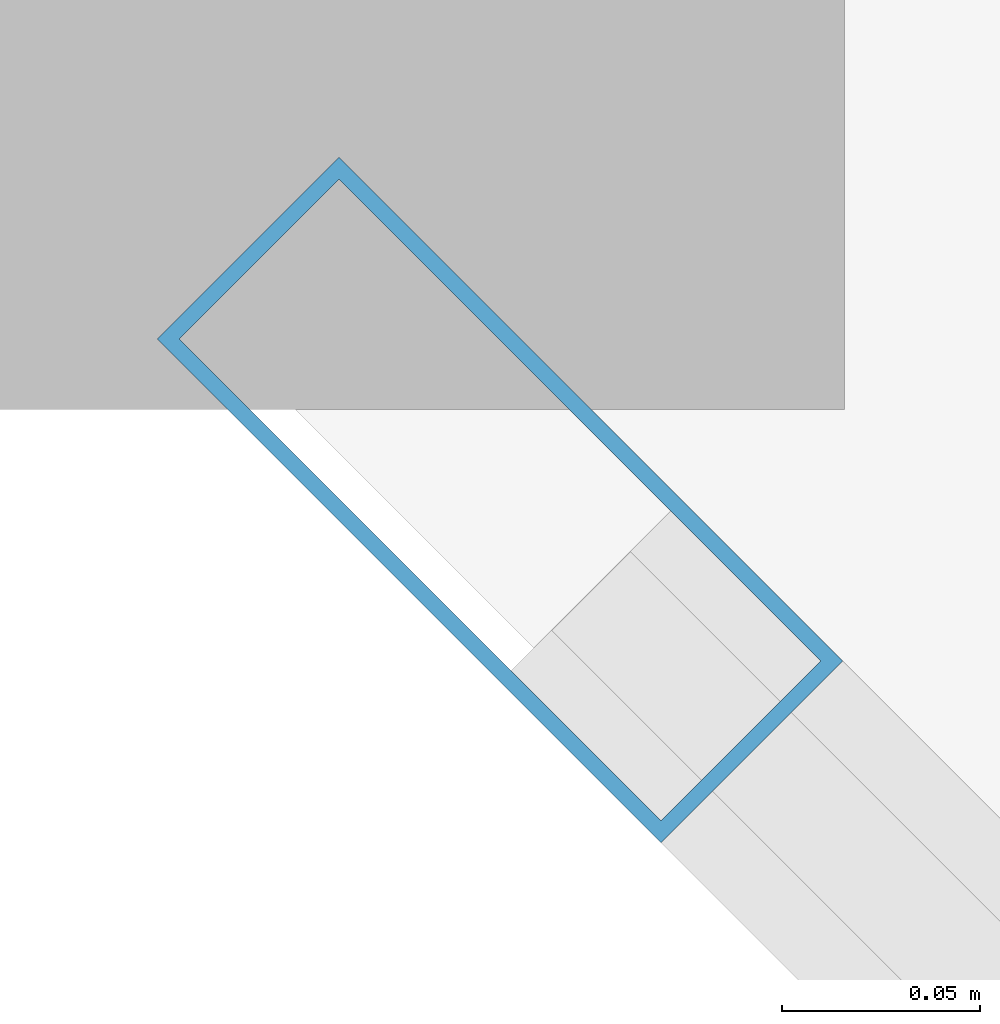
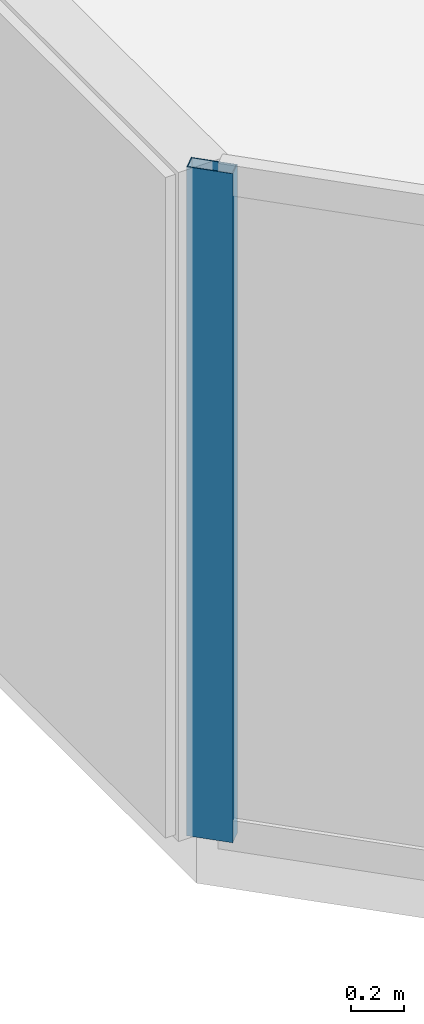
# One storey, part 7 of 28: 1 member, 1 element without a shape of its own.
"""IFC4 building model written with IfcOpenShell, lengths in metres."""

from ifc_helpers import new_model, si_unit, direction, frame, origin, origin_2d, place, context, subcontext, project, spatial, hollow_rectangle, extrude, material, layer, layer_set, material_profile, profile_set, type_object, element, aggregate, save


model = new_model("IFC4")

# Units and contexts
model_context = context("Model", 3, precision=1e-05, world=origin(), true_north=direction((0.0, 1.0)))
body_context = subcontext(model_context, "Body", "Model", "MODEL_VIEW")
ifc_project = project(units=[si_unit("LENGTHUNIT", "METRE"), si_unit("AREAUNIT", "SQUARE_METRE"), si_unit("VOLUMEUNIT", "CUBIC_METRE"), si_unit("PLANEANGLEUNIT", "RADIAN"), si_unit("MASSUNIT", "GRAM", prefix="KILO")], contexts=[model_context])

# Site, building, storey
site_placement = place(None, origin())
site = spatial("IfcSite", under=ifc_project, at=site_placement, CompositionType="ELEMENT")
building_placement = place(site_placement, origin())
building = spatial("IfcBuilding", under=site, at=building_placement, Name="Tanjung Sevakor Pilgrim Tower", CompositionType="ELEMENT")
storey_placement = place(building_placement, frame((0.0, 0.0, 239.25)))
storey = spatial("IfcBuildingStorey", under=building, at=storey_placement, Name="L67", CompositionType="ELEMENT", Elevation=239.25)

# Curtain wall, member
ifc_material_1 = material(Name="Aluminium 6063-T6 and Low-E Glass", Category="aluminium")
ifc_layer = layer(ifc_material_1, 0.179931640625)
ifc_layer_set = layer_set([ifc_layer], Name="CW-SYS-CHAM")
curtain_wall_type = type_object("IfcCurtainWallType", Name="CW-SYS-CHAM", PredefinedType="NOTDEFINED", material=ifc_layer_set)
curtain_wall_placement = place(storey_placement, origin())
curtain_wall = element("IfcCurtainWall", 1, at=curtain_wall_placement, inside=storey, type_object=curtain_wall_type, Name="L67 Curtain Wall CW-CHM-L67-EAST-7", PredefinedType="NOTDEFINED")
ifc_material_2 = material(Name="Aluminium 6063-T6", Category="aluminium")
ifc_material_profile = material_profile(ifc_material_2, hollow_rectangle(XDim=0.06494140625, YDim=0.179931640625, WallThickness=0.00390625, at=origin_2d()))
ifc_profile_set = profile_set([ifc_material_profile], Name="Aluminium 6063-T6")
member_type = type_object("IfcMemberType", Name="TYPE-CWM-1", PredefinedType="MULLION", material=ifc_profile_set)
member_placement = place(storey_placement, frame((52.23291015625, 31.22265625, 0.0), z_axis=(0.0, 0.0, 1.0), x_axis=(0.707106781187, 0.707106781187, 0.0)))
member = element("IfcMember", 2, at=member_placement, type_object=member_type, Name="CW-CHM mullion 1", PredefinedType="MULLION", context=body_context, shape_type="SweptSolid", body=[
    extrude(hollow_rectangle(XDim=0.06494140625, YDim=0.179931640625, WallThickness=0.00390625, at=origin_2d()), origin(), (0.0, 0.0, 1.0), 3.080078125),
])
aggregate(curtain_wall, [member])

save(model, "model.ifc")
